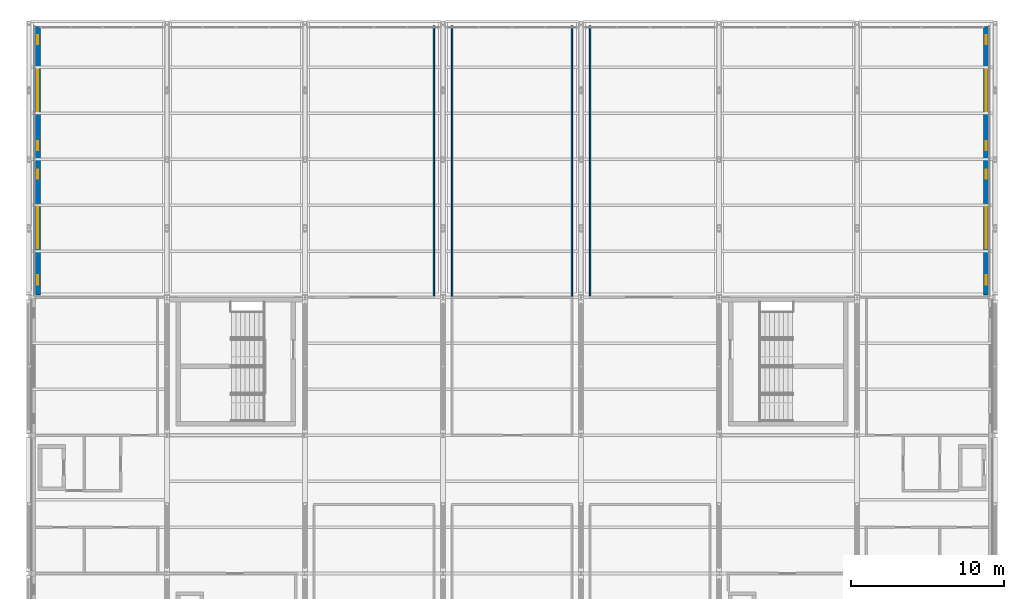
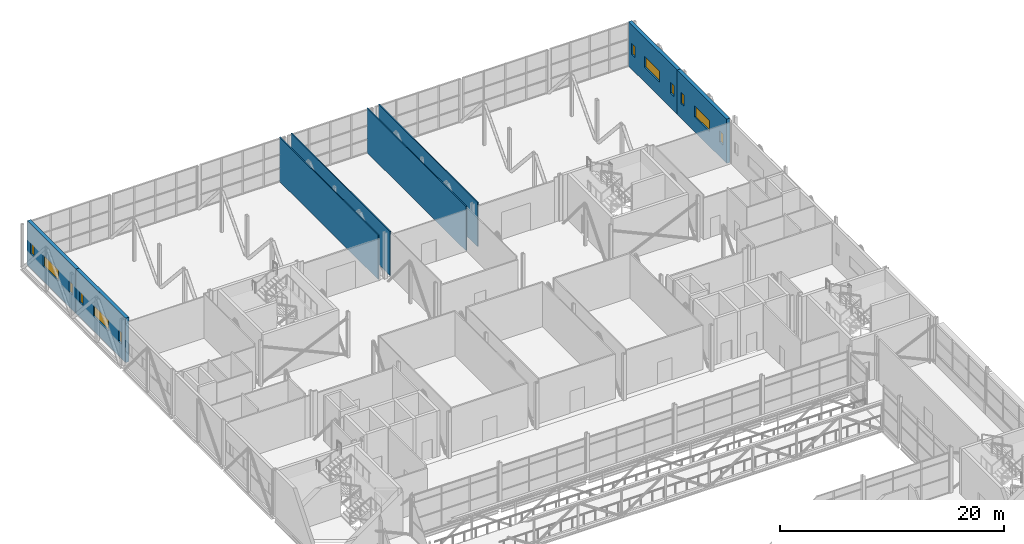
# One storey, part 82 of 94: 12 windows, 8 walls, 12 openings.
"""IFC4 building model written with IfcOpenShell, lengths in metres."""

from ifc_helpers import new_model, si_unit, direction, frame, frame_2d, origin, place, context, subcontext, project, spatial, rectangle, extrude, material, layer, layer_set, type_object, element, fill, save


model = new_model("IFC4")

# Units and contexts
model_context = context("Model", 3, precision=1e-05, world=origin(), true_north=direction((0.0, 1.0)))
body_context = subcontext(model_context, "Body", "Model", "MODEL_VIEW")
ifc_project = project(units=[si_unit("LENGTHUNIT", "METRE"), si_unit("AREAUNIT", "SQUARE_METRE"), si_unit("VOLUMEUNIT", "CUBIC_METRE"), si_unit("PLANEANGLEUNIT", "RADIAN"), si_unit("MASSUNIT", "GRAM", prefix="KILO")], contexts=[model_context])

# Site, building, storey
site_placement = place(None, origin())
site = spatial("IfcSite", under=ifc_project, at=site_placement, CompositionType="ELEMENT")
building_placement = place(site_placement, origin())
building = spatial("IfcBuilding", under=site, at=building_placement, Name="Shorebreak Coast Museum", CompositionType="ELEMENT")
storey_placement = place(building_placement, frame((0.0, 0.0, 31.0)))
storey = spatial("IfcBuildingStorey", under=building, at=storey_placement, Name="L05", CompositionType="ELEMENT", Elevation=31.0)

# Wall, openings, windows
ifc_material_1 = material(Name="Concrete N50 (50 MPa)", Category="concrete")
ifc_layer_1 = layer(ifc_material_1, 0.35009765625)
ifc_layer_set_1 = layer_set([ifc_layer_1], Name="Concrete N50 (50 MPa)")
wall_type_1 = type_object("IfcWallType", Name="Barrel side panel 350", PredefinedType="SOLIDWALL", material=ifc_layer_set_1)
wall_1_placement = place(storey_placement, frame((54.574951171875, 117.16357421875, 0.0), z_axis=(0.0, 0.0, 1.0), x_axis=(0.0, 1.0, 0.0)))
wall_1 = element("IfcWall", 1, at=wall_1_placement, inside=storey, type_object=wall_type_1, Name="Barrel side panel L05 W1", PredefinedType="SOLIDWALL", context=body_context, shape_type="SweptSolid", body=[
    extrude(rectangle(XDim=8.83642578125, YDim=0.35009765625, at=frame_2d((4.418212890625, 0.0))), origin(), (0.0, 0.0, 1.0), 4.824951171875),
])
opening_1_placement = place(wall_1_placement, frame((0.668212890625, 0.0, 1.60009765625)))
opening_1 = element("IfcOpeningElement", 2, at=opening_1_placement, cuts=wall_1, Name="Opening WN5007", PredefinedType="OPENING", context=body_context, shape_type="SweptSolid", body=[
    extrude(rectangle(XDim=0.60009765625, YDim=1.199951171875, at=frame_2d((0.300048828125, 0.60009765625))), frame((0.0, 0.18505859375, 0.0), z_axis=(0.0, -1.0, 0.0), x_axis=(1.0, 0.0, 0.0)), (0.0, 0.0, 1.0), 0.3701171875),
])
opening_2_placement = place(wall_1_placement, frame((3.04150390625, 0.0, 1.60009765625)))
opening_2 = element("IfcOpeningElement", 3, at=opening_2_placement, cuts=wall_1, Name="Opening WN5021", PredefinedType="OPENING", context=body_context, shape_type="SweptSolid", body=[
    extrude(rectangle(XDim=2.699951171875, YDim=1.199951171875, at=frame_2d((1.35009765625, 0.60009765625))), frame((0.0, 0.18505859375, 0.0), z_axis=(0.0, -1.0, 0.0), x_axis=(1.0, 0.0, 0.0)), (0.0, 0.0, 1.0), 0.3701171875),
])
opening_3_placement = place(wall_1_placement, frame((7.568115234375, 0.0, 1.60009765625)))
opening_3 = element("IfcOpeningElement", 4, at=opening_3_placement, cuts=wall_1, Name="Opening WN5022", PredefinedType="OPENING", context=body_context, shape_type="SweptSolid", body=[
    extrude(rectangle(XDim=0.60009765625, YDim=1.199951171875, at=frame_2d((0.300048828125, 0.60009765625))), frame((0.0, 0.18505859375, 0.0), z_axis=(0.0, -1.0, 0.0), x_axis=(1.0, 0.0, 0.0)), (0.0, 0.0, 1.0), 0.3701171875),
])
ifc_material_2 = material(Name="Aluminium", Category="aluminium")
window_type_1 = type_object("IfcWindowType", Name="Truss-bay window 2700 x 1200", PartitioningType="SINGLE_PANEL", PredefinedType="WINDOW", material=ifc_material_2)
window_1_placement = place(opening_2_placement, origin())
window_1 = element("IfcWindow", 5, at=window_1_placement, inside=storey, type_object=window_type_1, Name="Window WN5021", OverallHeight=1.199951171875, OverallWidth=2.699951171875, PartitioningType="SINGLE_PANEL", PredefinedType="WINDOW", context=body_context, shape_type="SweptSolid", body=[
    extrude(rectangle(XDim=2.699951171875, YDim=1.199951171875, at=frame_2d((1.35009765625, 0.60009765625))), frame((0.0, 0.030029296875, 0.0), z_axis=(0.0, -1.0, 0.0), x_axis=(1.0, 0.0, 0.0)), (0.0, 0.0, 1.0), 0.06005859375),
])
fill(opening_2, window_1)
ifc_material_3 = material(Name="Aluminium", Category="aluminium")
window_type_2 = type_object("IfcWindowType", Name="Truss-bay window 600 x 1200", PartitioningType="SINGLE_PANEL", PredefinedType="WINDOW", material=ifc_material_3)
window_2_placement = place(opening_1_placement, origin())
window_2 = element("IfcWindow", 6, at=window_2_placement, inside=storey, type_object=window_type_2, Name="Window WN5007", OverallHeight=1.199951171875, OverallWidth=0.60009765625, PartitioningType="SINGLE_PANEL", PredefinedType="WINDOW", context=body_context, shape_type="SweptSolid", body=[
    extrude(rectangle(XDim=0.60009765625, YDim=1.199951171875, at=frame_2d((0.300048828125, 0.60009765625))), frame((0.0, 0.030029296875, 0.0), z_axis=(0.0, -1.0, 0.0), x_axis=(1.0, 0.0, 0.0)), (0.0, 0.0, 1.0), 0.06005859375),
])
fill(opening_1, window_2)
window_3_placement = place(opening_3_placement, origin())
window_3 = element("IfcWindow", 7, at=window_3_placement, inside=storey, type_object=window_type_2, Name="Window WN5022", OverallHeight=1.199951171875, OverallWidth=0.60009765625, PartitioningType="SINGLE_PANEL", PredefinedType="WINDOW", context=body_context, shape_type="SweptSolid", body=[
    extrude(rectangle(XDim=0.60009765625, YDim=1.199951171875, at=frame_2d((0.300048828125, 0.60009765625))), frame((0.0, 0.030029296875, 0.0), z_axis=(0.0, -1.0, 0.0), x_axis=(1.0, 0.0, 0.0)), (0.0, 0.0, 1.0), 0.06005859375),
])
fill(opening_3, window_3)

wall_2_placement = place(storey_placement, frame((54.574951171875, 126.0, 0.0), z_axis=(0.0, 0.0, 1.0), x_axis=(0.0, 1.0, 0.0)))
wall_2 = element("IfcWall", 8, at=wall_2_placement, inside=storey, type_object=wall_type_1, Name="Barrel side panel L05 W2", PredefinedType="SOLIDWALL", context=body_context, shape_type="SweptSolid", body=[
    extrude(rectangle(XDim=8.675048828125, YDim=0.35009765625, at=frame_2d((4.33740234375, 0.0))), origin(), (0.0, 0.0, 1.0), 4.824951171875),
])
opening_4_placement = place(wall_2_placement, frame((0.58740234375, 0.0, 1.60009765625)))
opening_4 = element("IfcOpeningElement", 9, at=opening_4_placement, cuts=wall_2, Name="Opening WN5008", PredefinedType="OPENING", context=body_context, shape_type="SweptSolid", body=[
    extrude(rectangle(XDim=0.60009765625, YDim=1.199951171875, at=frame_2d((0.300048828125, 0.60009765625))), frame((0.0, 0.18505859375, 0.0), z_axis=(0.0, -1.0, 0.0), x_axis=(1.0, 0.0, 0.0)), (0.0, 0.0, 1.0), 0.3701171875),
])
opening_5_placement = place(wall_2_placement, frame((3.127685546875, 0.0, 1.60009765625)))
opening_5 = element("IfcOpeningElement", 10, at=opening_5_placement, cuts=wall_2, Name="Opening WN5023", PredefinedType="OPENING", context=body_context, shape_type="SweptSolid", body=[
    extrude(rectangle(XDim=2.699951171875, YDim=1.199951171875, at=frame_2d((1.35009765625, 0.60009765625))), frame((0.0, 0.18505859375, 0.0), z_axis=(0.0, -1.0, 0.0), x_axis=(1.0, 0.0, 0.0)), (0.0, 0.0, 1.0), 0.3701171875),
])
opening_6_placement = place(wall_2_placement, frame((7.487548828125, 0.0, 1.60009765625)))
opening_6 = element("IfcOpeningElement", 11, at=opening_6_placement, cuts=wall_2, Name="Opening WN5024", PredefinedType="OPENING", context=body_context, shape_type="SweptSolid", body=[
    extrude(rectangle(XDim=0.60009765625, YDim=1.199951171875, at=frame_2d((0.300048828125, 0.60009765625))), frame((0.0, 0.18505859375, 0.0), z_axis=(0.0, -1.0, 0.0), x_axis=(1.0, 0.0, 0.0)), (0.0, 0.0, 1.0), 0.3701171875),
])
window_4_placement = place(opening_5_placement, origin())
window_4 = element("IfcWindow", 12, at=window_4_placement, inside=storey, type_object=window_type_1, Name="Window WN5023", OverallHeight=1.199951171875, OverallWidth=2.699951171875, PartitioningType="SINGLE_PANEL", PredefinedType="WINDOW", context=body_context, shape_type="SweptSolid", body=[
    extrude(rectangle(XDim=2.699951171875, YDim=1.199951171875, at=frame_2d((1.35009765625, 0.60009765625))), frame((0.0, 0.030029296875, 0.0), z_axis=(0.0, -1.0, 0.0), x_axis=(1.0, 0.0, 0.0)), (0.0, 0.0, 1.0), 0.06005859375),
])
fill(opening_5, window_4)
window_5_placement = place(opening_4_placement, origin())
window_5 = element("IfcWindow", 13, at=window_5_placement, inside=storey, type_object=window_type_2, Name="Window WN5008", OverallHeight=1.199951171875, OverallWidth=0.60009765625, PartitioningType="SINGLE_PANEL", PredefinedType="WINDOW", context=body_context, shape_type="SweptSolid", body=[
    extrude(rectangle(XDim=0.60009765625, YDim=1.199951171875, at=frame_2d((0.300048828125, 0.60009765625))), frame((0.0, 0.030029296875, 0.0), z_axis=(0.0, -1.0, 0.0), x_axis=(1.0, 0.0, 0.0)), (0.0, 0.0, 1.0), 0.06005859375),
])
fill(opening_4, window_5)
window_6_placement = place(opening_6_placement, origin())
window_6 = element("IfcWindow", 14, at=window_6_placement, inside=storey, type_object=window_type_2, Name="Window WN5024", OverallHeight=1.199951171875, OverallWidth=0.60009765625, PartitioningType="SINGLE_PANEL", PredefinedType="WINDOW", context=body_context, shape_type="SweptSolid", body=[
    extrude(rectangle(XDim=0.60009765625, YDim=1.199951171875, at=frame_2d((0.300048828125, 0.60009765625))), frame((0.0, 0.030029296875, 0.0), z_axis=(0.0, -1.0, 0.0), x_axis=(1.0, 0.0, 0.0)), (0.0, 0.0, 1.0), 0.06005859375),
])
fill(opening_6, window_6)

wall_3_placement = place(storey_placement, frame((116.425048828125, 117.16357421875, 0.0), z_axis=(0.0, 0.0, 1.0), x_axis=(0.0, 1.0, 0.0)))
wall_3 = element("IfcWall", 15, at=wall_3_placement, inside=storey, type_object=wall_type_1, Name="Barrel side panel L05 E1", PredefinedType="SOLIDWALL", context=body_context, shape_type="SweptSolid", body=[
    extrude(rectangle(XDim=8.83642578125, YDim=0.35009765625, at=frame_2d((4.418212890625, 0.0))), origin(), (0.0, 0.0, 1.0), 4.824951171875),
])
opening_7_placement = place(wall_3_placement, frame((0.668212890625, 0.0, 1.60009765625)))
opening_7 = element("IfcOpeningElement", 16, at=opening_7_placement, cuts=wall_3, Name="Opening WN5005", PredefinedType="OPENING", context=body_context, shape_type="SweptSolid", body=[
    extrude(rectangle(XDim=0.60009765625, YDim=1.199951171875, at=frame_2d((0.300048828125, 0.60009765625))), frame((0.0, 0.18505859375, 0.0), z_axis=(0.0, -1.0, 0.0), x_axis=(1.0, 0.0, 0.0)), (0.0, 0.0, 1.0), 0.3701171875),
])
opening_8_placement = place(wall_3_placement, frame((3.04150390625, 0.0, 1.60009765625)))
opening_8 = element("IfcOpeningElement", 17, at=opening_8_placement, cuts=wall_3, Name="Opening WN5017", PredefinedType="OPENING", context=body_context, shape_type="SweptSolid", body=[
    extrude(rectangle(XDim=2.699951171875, YDim=1.199951171875, at=frame_2d((1.35009765625, 0.60009765625))), frame((0.0, 0.18505859375, 0.0), z_axis=(0.0, -1.0, 0.0), x_axis=(1.0, 0.0, 0.0)), (0.0, 0.0, 1.0), 0.3701171875),
])
opening_9_placement = place(wall_3_placement, frame((7.568115234375, 0.0, 1.60009765625)))
opening_9 = element("IfcOpeningElement", 18, at=opening_9_placement, cuts=wall_3, Name="Opening WN5018", PredefinedType="OPENING", context=body_context, shape_type="SweptSolid", body=[
    extrude(rectangle(XDim=0.60009765625, YDim=1.199951171875, at=frame_2d((0.300048828125, 0.60009765625))), frame((0.0, 0.18505859375, 0.0), z_axis=(0.0, -1.0, 0.0), x_axis=(1.0, 0.0, 0.0)), (0.0, 0.0, 1.0), 0.3701171875),
])
window_7_placement = place(opening_8_placement, origin())
window_7 = element("IfcWindow", 19, at=window_7_placement, inside=storey, type_object=window_type_1, Name="Window WN5017", OverallHeight=1.199951171875, OverallWidth=2.699951171875, PartitioningType="SINGLE_PANEL", PredefinedType="WINDOW", context=body_context, shape_type="SweptSolid", body=[
    extrude(rectangle(XDim=2.699951171875, YDim=1.199951171875, at=frame_2d((1.35009765625, 0.60009765625))), frame((0.0, 0.030029296875, 0.0), z_axis=(0.0, -1.0, 0.0), x_axis=(1.0, 0.0, 0.0)), (0.0, 0.0, 1.0), 0.06005859375),
])
fill(opening_8, window_7)
window_8_placement = place(opening_7_placement, origin())
window_8 = element("IfcWindow", 20, at=window_8_placement, inside=storey, type_object=window_type_2, Name="Window WN5005", OverallHeight=1.199951171875, OverallWidth=0.60009765625, PartitioningType="SINGLE_PANEL", PredefinedType="WINDOW", context=body_context, shape_type="SweptSolid", body=[
    extrude(rectangle(XDim=0.60009765625, YDim=1.199951171875, at=frame_2d((0.300048828125, 0.60009765625))), frame((0.0, 0.030029296875, 0.0), z_axis=(0.0, -1.0, 0.0), x_axis=(1.0, 0.0, 0.0)), (0.0, 0.0, 1.0), 0.06005859375),
])
fill(opening_7, window_8)
window_9_placement = place(opening_9_placement, origin())
window_9 = element("IfcWindow", 21, at=window_9_placement, inside=storey, type_object=window_type_2, Name="Window WN5018", OverallHeight=1.199951171875, OverallWidth=0.60009765625, PartitioningType="SINGLE_PANEL", PredefinedType="WINDOW", context=body_context, shape_type="SweptSolid", body=[
    extrude(rectangle(XDim=0.60009765625, YDim=1.199951171875, at=frame_2d((0.300048828125, 0.60009765625))), frame((0.0, 0.030029296875, 0.0), z_axis=(0.0, -1.0, 0.0), x_axis=(1.0, 0.0, 0.0)), (0.0, 0.0, 1.0), 0.06005859375),
])
fill(opening_9, window_9)

wall_4_placement = place(storey_placement, frame((116.425048828125, 126.0, 0.0), z_axis=(0.0, 0.0, 1.0), x_axis=(0.0, 1.0, 0.0)))
wall_4 = element("IfcWall", 22, at=wall_4_placement, inside=storey, type_object=wall_type_1, Name="Barrel side panel L05 E2", PredefinedType="SOLIDWALL", context=body_context, shape_type="SweptSolid", body=[
    extrude(rectangle(XDim=8.675048828125, YDim=0.35009765625, at=frame_2d((4.33740234375, 0.0))), origin(), (0.0, 0.0, 1.0), 4.824951171875),
])
opening_10_placement = place(wall_4_placement, frame((0.58740234375, 0.0, 1.60009765625)))
opening_10 = element("IfcOpeningElement", 23, at=opening_10_placement, cuts=wall_4, Name="Opening WN5006", PredefinedType="OPENING", context=body_context, shape_type="SweptSolid", body=[
    extrude(rectangle(XDim=0.60009765625, YDim=1.199951171875, at=frame_2d((0.300048828125, 0.60009765625))), frame((0.0, 0.18505859375, 0.0), z_axis=(0.0, -1.0, 0.0), x_axis=(1.0, 0.0, 0.0)), (0.0, 0.0, 1.0), 0.3701171875),
])
opening_11_placement = place(wall_4_placement, frame((3.127685546875, 0.0, 1.60009765625)))
opening_11 = element("IfcOpeningElement", 24, at=opening_11_placement, cuts=wall_4, Name="Opening WN5019", PredefinedType="OPENING", context=body_context, shape_type="SweptSolid", body=[
    extrude(rectangle(XDim=2.699951171875, YDim=1.199951171875, at=frame_2d((1.35009765625, 0.60009765625))), frame((0.0, 0.18505859375, 0.0), z_axis=(0.0, -1.0, 0.0), x_axis=(1.0, 0.0, 0.0)), (0.0, 0.0, 1.0), 0.3701171875),
])
opening_12_placement = place(wall_4_placement, frame((7.487548828125, 0.0, 1.60009765625)))
opening_12 = element("IfcOpeningElement", 25, at=opening_12_placement, cuts=wall_4, Name="Opening WN5020", PredefinedType="OPENING", context=body_context, shape_type="SweptSolid", body=[
    extrude(rectangle(XDim=0.60009765625, YDim=1.199951171875, at=frame_2d((0.300048828125, 0.60009765625))), frame((0.0, 0.18505859375, 0.0), z_axis=(0.0, -1.0, 0.0), x_axis=(1.0, 0.0, 0.0)), (0.0, 0.0, 1.0), 0.3701171875),
])
window_10_placement = place(opening_11_placement, origin())
window_10 = element("IfcWindow", 26, at=window_10_placement, inside=storey, type_object=window_type_1, Name="Window WN5019", OverallHeight=1.199951171875, OverallWidth=2.699951171875, PartitioningType="SINGLE_PANEL", PredefinedType="WINDOW", context=body_context, shape_type="SweptSolid", body=[
    extrude(rectangle(XDim=2.699951171875, YDim=1.199951171875, at=frame_2d((1.35009765625, 0.60009765625))), frame((0.0, 0.030029296875, 0.0), z_axis=(0.0, -1.0, 0.0), x_axis=(1.0, 0.0, 0.0)), (0.0, 0.0, 1.0), 0.06005859375),
])
fill(opening_11, window_10)
window_11_placement = place(opening_10_placement, origin())
window_11 = element("IfcWindow", 27, at=window_11_placement, inside=storey, type_object=window_type_2, Name="Window WN5006", OverallHeight=1.199951171875, OverallWidth=0.60009765625, PartitioningType="SINGLE_PANEL", PredefinedType="WINDOW", context=body_context, shape_type="SweptSolid", body=[
    extrude(rectangle(XDim=0.60009765625, YDim=1.199951171875, at=frame_2d((0.300048828125, 0.60009765625))), frame((0.0, 0.030029296875, 0.0), z_axis=(0.0, -1.0, 0.0), x_axis=(1.0, 0.0, 0.0)), (0.0, 0.0, 1.0), 0.06005859375),
])
fill(opening_10, window_11)
window_12_placement = place(opening_12_placement, origin())
window_12 = element("IfcWindow", 28, at=window_12_placement, inside=storey, type_object=window_type_2, Name="Window WN5020", OverallHeight=1.199951171875, OverallWidth=0.60009765625, PartitioningType="SINGLE_PANEL", PredefinedType="WINDOW", context=body_context, shape_type="SweptSolid", body=[
    extrude(rectangle(XDim=0.60009765625, YDim=1.199951171875, at=frame_2d((0.300048828125, 0.60009765625))), frame((0.0, 0.030029296875, 0.0), z_axis=(0.0, -1.0, 0.0), x_axis=(1.0, 0.0, 0.0)), (0.0, 0.0, 1.0), 0.06005859375),
])
fill(opening_12, window_12)

# Walls
ifc_material_4 = material(Name="Plasterboard on steel stud", Category="steel")
ifc_layer_2 = layer(ifc_material_4, 0.10009765625)
ifc_layer_set_2 = layer_set([ifc_layer_2], Name="Plasterboard on steel stud")
wall_type_2 = type_object("IfcWallType", Name="Partition 100", PredefinedType="PARTITIONING", material=ifc_layer_set_2)
wall_5_placement = place(storey_placement, frame((80.39990234375, 117.074951171875, 0.0), z_axis=(0.0, 0.0, 1.0), x_axis=(0.0, 1.0, 0.0)))
element("IfcWall", 29, at=wall_5_placement, inside=storey, type_object=wall_type_2, Name="Partition L05-059", PredefinedType="PARTITIONING", context=body_context, shape_type="SweptSolid", body=[
    extrude(rectangle(XDim=17.62451171875, YDim=0.10009765625, at=frame_2d((8.812255859375, 0.0))), origin(), (0.0, 0.0, 1.0), 4.824951171875),
])
for number, where, z_axis, x_axis, name in (
    (30, (81.60009765625, 117.050048828125, 0.0), (0.0, 0.0, 1.0), (0.0, 1.0, 0.0), "Partition L05-062"),
    (31, (89.39990234375, 117.050048828125, 0.0), (0.0, 0.0, 1.0), (0.0, 1.0, 0.0), "Partition L05-065"),
):
    element("IfcWall", number, at=place(storey_placement, frame(where, z_axis=z_axis, x_axis=x_axis)), inside=storey, type_object=wall_type_2, Name=name, PredefinedType="PARTITIONING", context=body_context, shape_type="SweptSolid", body=[
        extrude(rectangle(XDim=17.6494140625, YDim=0.10009765625, at=frame_2d((8.82470703125, 0.0))), origin(), (0.0, 0.0, 1.0), 4.824951171875),
    ])
wall_6_placement = place(storey_placement, frame((90.60009765625, 117.074951171875, 0.0), z_axis=(0.0, 0.0, 1.0), x_axis=(0.0, 1.0, 0.0)))
element("IfcWall", 32, at=wall_6_placement, inside=storey, type_object=wall_type_2, Name="Partition L05-068", PredefinedType="PARTITIONING", context=body_context, shape_type="SweptSolid", body=[
    extrude(rectangle(XDim=17.62451171875, YDim=0.10009765625, at=frame_2d((8.812255859375, 0.0))), origin(), (0.0, 0.0, 1.0), 4.824951171875),
])

save(model, "model.ifc")
